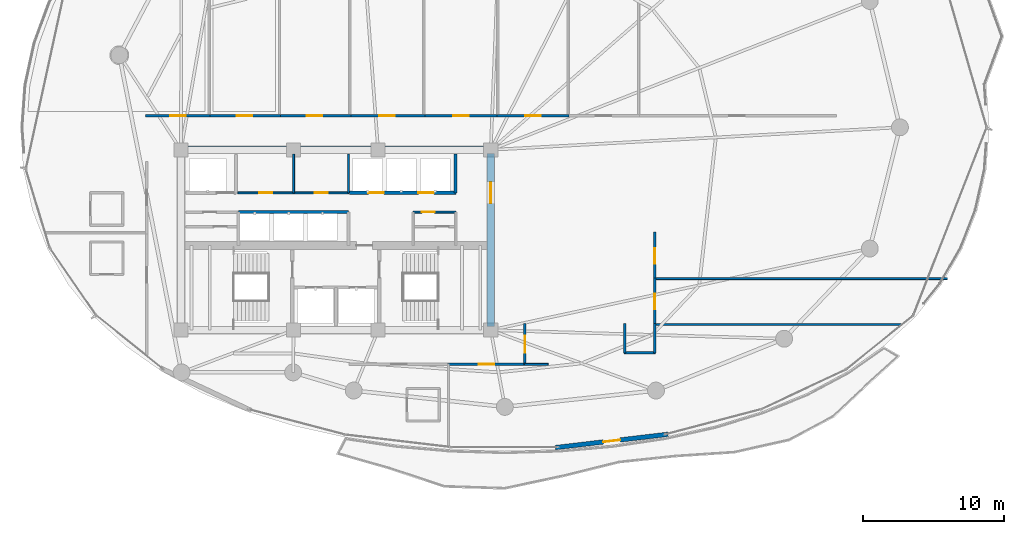
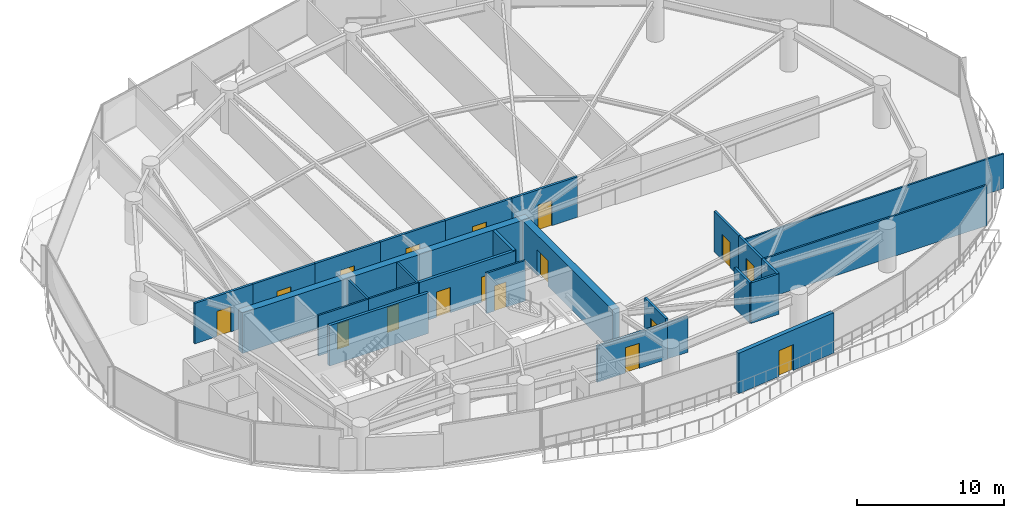
# One storey, part 27 of 34: 27 walls, 17 doors, 17 openings.
"""IFC4 building model written with IfcOpenShell, lengths in metres."""

from ifc_helpers import new_model, si_unit, direction, frame, frame_2d, origin, place, context, subcontext, project, spatial, rectangle, extrude, material, layer, layer_set, type_object, element, fill, save


model = new_model("IFC4")

# Units and contexts
model_context = context("Model", 3, precision=1e-05, world=origin(), true_north=direction((0.0, 1.0)))
body_context = subcontext(model_context, "Body", "Model", "MODEL_VIEW")
ifc_project = project(units=[si_unit("LENGTHUNIT", "METRE"), si_unit("AREAUNIT", "SQUARE_METRE"), si_unit("VOLUMEUNIT", "CUBIC_METRE"), si_unit("PLANEANGLEUNIT", "RADIAN"), si_unit("MASSUNIT", "GRAM", prefix="KILO")], contexts=[model_context])

# Site, building, storey
site_placement = place(None, origin())
site = spatial("IfcSite", under=ifc_project, at=site_placement, CompositionType="ELEMENT")
building_placement = place(site_placement, origin())
building = spatial("IfcBuilding", under=site, at=building_placement, Name="Kazevale Care Tower and Concert Hall", CompositionType="ELEMENT")
storey_placement = place(building_placement, frame((0.0, 0.0, 156.60009765625)))
storey = spatial("IfcBuildingStorey", under=building, at=storey_placement, Name="L41", CompositionType="ELEMENT", Elevation=156.60009765625)

# Wall, opening, door
ifc_material_1 = material(Name="Acoustic Gypsum on Steel Stud", Category="steel")
ifc_layer_1 = layer(ifc_material_1, 0.139892578125)
ifc_layer_set_1 = layer_set([ifc_layer_1], Name="Acoustic Gypsum on Steel Stud")
wall_type_1 = type_object("IfcWallType", Name="Acoustic Care & Suite Partition 140", PredefinedType="PARTITIONING", material=ifc_layer_set_1)
wall_1_placement = place(storey_placement, frame((26.050048828125, 33.35009765625, 0.0), z_axis=(0.0, 0.0, 1.0), x_axis=(1.0, 0.0, 0.0)))
wall_1 = element("IfcWall", 1, at=wall_1_placement, inside=storey, type_object=wall_type_1, Name="wall:L41:c_rpl1_s", PredefinedType="PARTITIONING", context=body_context, shape_type="SweptSolid", body=[
    extrude(rectangle(XDim=3.949951171875, YDim=0.139892578125, at=frame_2d((1.97509765625, 0.0))), origin(), (0.0, 0.0, 1.0), 3.35986328125),
])
opening_1_placement = place(wall_1_placement, frame((1.514892578125, 0.0, 0.0)))
opening_1 = element("IfcOpeningElement", 2, at=opening_1_placement, cuts=wall_1, Name="Opening ID-900", PredefinedType="OPENING", context=body_context, shape_type="SweptSolid", body=[
    extrude(rectangle(XDim=0.919921875, YDim=2.10009765625, at=frame_2d((0.4599609375, 1.050048828125))), frame((0.0, 0.079833984375, 0.0), z_axis=(0.0, -1.0, 0.0), x_axis=(1.0, 0.0, 0.0)), (0.0, 0.0, 1.0), 0.159912109375),
])
ifc_material_2 = material(Name="Oak Timber Fire Leaf", Category="wood")
door_type_1 = type_object("IfcDoorType", Name="Bathroom & Service Door 920x2100", OperationType="NOTDEFINED", PredefinedType="DOOR", material=ifc_material_2)
door_1_placement = place(opening_1_placement, origin())
door_1 = element("IfcDoor", 3, at=door_1_placement, inside=storey, type_object=door_type_1, Name="door:L41:d_rpl1", OperationType="SINGLE_SWING_LEFT", OverallHeight=2.10009765625, OverallWidth=0.919921875, PredefinedType="DOOR", context=body_context, shape_type="SweptSolid", body=[
    extrude(rectangle(XDim=0.919921875, YDim=2.10009765625, at=frame_2d((0.4599609375, 1.050048828125))), frame((0.0, 0.02490234375, 0.0), z_axis=(0.0, -1.0, 0.0), x_axis=(1.0, 0.0, 0.0)), (0.0, 0.0, 1.0), 0.050048828125),
])
fill(opening_1, door_1)

wall_2_placement = place(storey_placement, frame((30.0, 33.35009765625, 0.0), z_axis=(0.0, 0.0, 1.0), x_axis=(1.0, 0.0, 0.0)))
wall_2 = element("IfcWall", 4, at=wall_2_placement, inside=storey, type_object=wall_type_1, Name="wall:L41:c_rpl2_s", PredefinedType="PARTITIONING", context=body_context, shape_type="SweptSolid", body=[
    extrude(rectangle(XDim=3.919921875, YDim=0.139892578125, at=frame_2d((1.9599609375, 0.0))), origin(), (0.0, 0.0, 1.0), 3.35986328125),
])
opening_2_placement = place(wall_2_placement, frame((1.5, 0.0, 0.0)))
opening_2 = element("IfcOpeningElement", 5, at=opening_2_placement, cuts=wall_2, Name="Opening ID-900", PredefinedType="OPENING", context=body_context, shape_type="SweptSolid", body=[
    extrude(rectangle(XDim=0.919921875, YDim=2.10009765625, at=frame_2d((0.4599609375, 1.050048828125))), frame((0.0, 0.079833984375, 0.0), z_axis=(0.0, -1.0, 0.0), x_axis=(1.0, 0.0, 0.0)), (0.0, 0.0, 1.0), 0.159912109375),
])
door_2_placement = place(opening_2_placement, origin())
door_2 = element("IfcDoor", 6, at=door_2_placement, inside=storey, type_object=door_type_1, Name="door:L41:d_rpl2", OperationType="SINGLE_SWING_RIGHT", OverallHeight=2.10009765625, OverallWidth=0.919921875, PredefinedType="DOOR", context=body_context, shape_type="SweptSolid", body=[
    extrude(rectangle(XDim=0.919921875, YDim=2.10009765625, at=frame_2d((0.4599609375, 1.050048828125))), frame((0.0, 0.02490234375, 0.0), z_axis=(0.0, -1.0, 0.0), x_axis=(1.0, 0.0, 0.0)), (0.0, 0.0, 1.0), 0.050048828125),
])
fill(opening_2, door_2)

# Walls
for number, where, z_axis, x_axis, name in (
    (7, (30.0, 33.35009765625, 0.0), (0.0, 0.0, 1.0), (0.0, 1.0, 0.0), "wall:L41:c_rpl_m"),
    (8, (33.89990234375, 33.35009765625, 0.0), (0.0, 0.0, 1.0), (0.0, 1.0, 0.0), "wall:L41:c_rpl_e"),
):
    element("IfcWall", number, at=place(storey_placement, frame(where, z_axis=z_axis, x_axis=x_axis)), inside=storey, type_object=wall_type_1, Name=name, PredefinedType="PARTITIONING", context=body_context, shape_type="SweptSolid", body=[
        extrude(rectangle(XDim=2.75, YDim=0.139892578125, at=frame_2d((1.375, 0.0))), origin(), (0.0, 0.0, 1.0), 3.35986328125),
    ])

# Wall, opening, door
wall_3_placement = place(storey_placement, frame((38.47998046875, 31.97998046875, 0.0), z_axis=(0.0, 0.0, 1.0), x_axis=(1.0, 0.0, 0.0)))
wall_3 = element("IfcWall", 9, at=wall_3_placement, inside=storey, type_object=wall_type_1, Name="wall:L41:kc_en", PredefinedType="PARTITIONING", context=body_context, shape_type="SweptSolid", body=[
    extrude(rectangle(XDim=3.0400390625, YDim=0.139892578125, at=frame_2d((1.52001953125, 0.0))), origin(), (0.0, 0.0, 1.0), 3.35986328125),
])
opening_3_placement = place(wall_3_placement, frame((0.614013671875, 0.0, 0.0)))
opening_3 = element("IfcOpeningElement", 10, at=opening_3_placement, cuts=wall_3, Name="Opening ID-900", PredefinedType="OPENING", context=body_context, shape_type="SweptSolid", body=[
    extrude(rectangle(XDim=0.919921875, YDim=2.10009765625, at=frame_2d((0.4599609375, 1.050048828125))), frame((0.0, 0.079833984375, 0.0), z_axis=(0.0, -1.0, 0.0), x_axis=(1.0, 0.0, 0.0)), (0.0, 0.0, 1.0), 0.159912109375),
])
door_3_placement = place(opening_3_placement, origin())
door_3 = element("IfcDoor", 11, at=door_3_placement, inside=storey, type_object=door_type_1, Name="door:L41:d_kcet", OperationType="SINGLE_SWING_LEFT", OverallHeight=2.10009765625, OverallWidth=0.919921875, PredefinedType="DOOR", context=body_context, shape_type="SweptSolid", body=[
    extrude(rectangle(XDim=0.919921875, YDim=2.10009765625, at=frame_2d((0.4599609375, 1.050048828125))), frame((0.0, 0.02490234375, 0.0), z_axis=(0.0, -1.0, 0.0), x_axis=(1.0, 0.0, 0.0)), (0.0, 0.0, 1.0), 0.050048828125),
])
fill(opening_3, door_3)

# Walls
wall_4_placement = place(storey_placement, frame((55.6201171875, 24.0, 0.0), z_axis=(0.0, 0.0, 1.0), x_axis=(1.0, 0.0, 0.0)))
element("IfcWall", 12, at=wall_4_placement, inside=storey, type_object=wall_type_1, Name="wall:L41:auto_026", PredefinedType="PARTITIONING", context=body_context, shape_type="SweptSolid", body=[
    extrude(rectangle(XDim=17.572998046875, YDim=0.139892578125, at=frame_2d((8.78662109375, 0.0))), origin(), (0.0, 0.0, 1.0), 3.35986328125),
])
wall_5_placement = place(storey_placement, frame((48.06494140625, 21.175048828125, 0.0), z_axis=(0.0, 0.0, 1.0), x_axis=(-1.0, 0.0, 0.0)))
element("IfcWall", 13, at=wall_5_placement, inside=storey, type_object=wall_type_1, Name="wall:L41:auto_027", PredefinedType="PARTITIONING", context=body_context, shape_type="SweptSolid", body=[
    extrude(rectangle(XDim=1.669921875, YDim=0.139892578125, at=frame_2d((0.8349609375, 0.0))), origin(), (0.0, 0.0, 1.0), 2.995849609375),
])
wall_6_placement = place(storey_placement, frame((55.6201171875, 27.25, 0.0), z_axis=(0.0, 0.0, 1.0), x_axis=(1.0, 0.0, 0.0)))
element("IfcWall", 14, at=wall_6_placement, inside=storey, type_object=wall_type_1, Name="wall:L41:auto_028", PredefinedType="PARTITIONING", context=body_context, shape_type="SweptSolid", body=[
    extrude(rectangle(XDim=20.79296875, YDim=0.139892578125, at=frame_2d((10.396484375, 0.0))), origin(), (0.0, 0.0, 1.0), 2.889892578125),
])
ifc_material_3 = material(Name="Concrete C60", Category="concrete")
ifc_layer_2 = layer(ifc_material_3, 0.550048828125)
ifc_layer_set_2 = layer_set([ifc_layer_2], Name="Concrete C60")
wall_type_2 = type_object("IfcWallType", Name="Core Shear Wall 550 C60", PredefinedType="SHEAR", material=ifc_layer_set_2)
wall_7_placement = place(storey_placement, frame((21.72509765625, 36.39990234375, 0.0), z_axis=(0.0, 0.0, 1.0), x_axis=(1.0, 0.0, 0.0)))
element("IfcWall", 15, at=wall_7_placement, inside=storey, type_object=wall_type_2, Name="wall:L41:core:N", PredefinedType="SHEAR", context=body_context, shape_type="SweptSolid", body=[
    extrude(rectangle(XDim=22.5498046875, YDim=0.550048828125, at=frame_2d((11.27490234375, 0.0))), origin(), (0.0, 0.0, 1.0), 3.35986328125),
])

# Wall, opening, door
wall_8_placement = place(storey_placement, frame((44.0, 23.875, 0.0), z_axis=(0.0, 0.0, 1.0), x_axis=(0.0, 1.0, 0.0)))
wall_8 = element("IfcWall", 16, at=wall_8_placement, inside=storey, type_object=wall_type_2, Name="wall:L41:core:E", PredefinedType="SHEAR", context=body_context, shape_type="SweptSolid", body=[
    extrude(rectangle(XDim=12.25, YDim=0.550048828125, at=frame_2d((6.125, 0.0))), origin(), (0.0, 0.0, 1.0), 3.35986328125),
])
opening_4_placement = place(wall_8_placement, frame((8.72509765625, 0.0, 0.0)))
opening_4 = element("IfcOpeningElement", 17, at=opening_4_placement, cuts=wall_8, Name="Opening FD-60D", PredefinedType="OPENING", context=body_context, shape_type="SweptSolid", body=[
    extrude(rectangle(XDim=1.5, YDim=2.14990234375, at=frame_2d((0.75, 1.074951171875))), frame((0.0, 0.284912109375, 0.0), z_axis=(0.0, -1.0, 0.0), x_axis=(1.0, 0.0, 0.0)), (0.0, 0.0, 1.0), 0.570068359375),
])
door_type_2 = type_object("IfcDoorType", Name="Double Lobby & Auditorium Fire Door 1500x2150", OperationType="NOTDEFINED", PredefinedType="DOOR", material=ifc_material_2)
door_4_placement = place(opening_4_placement, origin())
door_4 = element("IfcDoor", 18, at=door_4_placement, inside=storey, type_object=door_type_2, Name="door:L41:core_east_out", OperationType="DOUBLE_DOOR_SINGLE_SWING", OverallHeight=2.14990234375, OverallWidth=1.5, PredefinedType="DOOR", context=body_context, shape_type="SweptSolid", body=[
    extrude(rectangle(XDim=1.5, YDim=2.14990234375, at=frame_2d((0.75, 1.074951171875))), frame((0.0, 0.02490234375, 0.0), z_axis=(0.0, -1.0, 0.0), x_axis=(1.0, 0.0, 0.0)), (0.0, 0.0, 1.0), 0.050048828125),
])
fill(opening_4, door_4)

# Wall
ifc_material_4 = material(Name="Concrete C40", Category="concrete")
ifc_layer_3 = layer(ifc_material_4, 0.219970703125)
ifc_layer_set_3 = layer_set([ifc_layer_3], Name="Concrete C40")
wall_type_3 = type_object("IfcWallType", Name="Elevator Hoistway Shaft Wall 220", PredefinedType="SOLIDWALL", material=ifc_layer_set_3)
wall_9_placement = place(storey_placement, frame((26.10009765625, 31.97998046875, 0.0), z_axis=(0.0, 0.0, 1.0), x_axis=(1.0, 0.0, 0.0)))
element("IfcWall", 19, at=wall_9_placement, inside=storey, type_object=wall_type_3, Name="wall:L41:c_ph_n", PredefinedType="SOLIDWALL", context=body_context, shape_type="SweptSolid", body=[
    extrude(rectangle(XDim=7.7998046875, YDim=0.219970703125, at=frame_2d((3.89990234375, 0.0))), origin(), (0.0, 0.0, 1.0), 3.35986328125),
])

# Wall, openings, doors
wall_10_placement = place(storey_placement, frame((33.97998046875, 33.35009765625, 0.0), z_axis=(0.0, 0.0, 1.0), x_axis=(1.0, 0.0, 0.0)))
wall_10 = element("IfcWall", 20, at=wall_10_placement, inside=storey, type_object=wall_type_3, Name="wall:L41:c_pm_s", PredefinedType="SOLIDWALL", context=body_context, shape_type="SweptSolid", body=[
    extrude(rectangle(XDim=7.5400390625, YDim=0.219970703125, at=frame_2d((3.77001953125, 0.0))), origin(), (0.0, 0.0, 1.0), 3.35986328125),
])
opening_5_placement = place(wall_10_placement, frame((1.3349609375, 0.0, 0.0)))
opening_5 = element("IfcOpeningElement", 21, at=opening_5_placement, cuts=wall_10, Name="Opening LD-PAX", PredefinedType="OPENING", context=body_context, shape_type="SweptSolid", body=[
    extrude(rectangle(XDim=1.10009765625, YDim=2.10009765625, at=frame_2d((0.550048828125, 1.050048828125))), frame((0.0, 0.119873046875, 0.0), z_axis=(0.0, -1.0, 0.0), x_axis=(1.0, 0.0, 0.0)), (0.0, 0.0, 1.0), 0.239990234375),
])
opening_6_placement = place(wall_10_placement, frame((4.87890625, 0.0, 0.0)))
opening_6 = element("IfcOpeningElement", 22, at=opening_6_placement, cuts=wall_10, Name="Opening LD-PAX", PredefinedType="OPENING", context=body_context, shape_type="SweptSolid", body=[
    extrude(rectangle(XDim=1.10009765625, YDim=2.10009765625, at=frame_2d((0.550048828125, 1.050048828125))), frame((0.0, 0.119873046875, 0.0), z_axis=(0.0, -1.0, 0.0), x_axis=(1.0, 0.0, 0.0)), (0.0, 0.0, 1.0), 0.239990234375),
])
ifc_material_5 = material(Name="Stainless Steel 316", Category="steel")
door_type_3 = type_object("IfcDoorType", Name="Passenger Lift Sliding Landing Door 1100x2100", OperationType="NOTDEFINED", PredefinedType="DOOR", material=ifc_material_5)
door_5_placement = place(opening_5_placement, origin())
door_5 = element("IfcDoor", 23, at=door_5_placement, inside=storey, type_object=door_type_3, Name="door:L41:ld_pm1", OperationType="SLIDING_TO_LEFT", OverallHeight=2.10009765625, OverallWidth=1.10009765625, PredefinedType="DOOR", context=body_context, shape_type="SweptSolid", body=[
    extrude(rectangle(XDim=1.10009765625, YDim=2.10009765625, at=frame_2d((0.550048828125, 1.050048828125))), frame((0.0, 0.02490234375, 0.0), z_axis=(0.0, -1.0, 0.0), x_axis=(1.0, 0.0, 0.0)), (0.0, 0.0, 1.0), 0.050048828125),
])
fill(opening_5, door_5)
door_6_placement = place(opening_6_placement, origin())
door_6 = element("IfcDoor", 24, at=door_6_placement, inside=storey, type_object=door_type_3, Name="door:L41:ld_pm2", OperationType="SLIDING_TO_RIGHT", OverallHeight=2.10009765625, OverallWidth=1.10009765625, PredefinedType="DOOR", context=body_context, shape_type="SweptSolid", body=[
    extrude(rectangle(XDim=1.10009765625, YDim=2.10009765625, at=frame_2d((0.550048828125, 1.050048828125))), frame((0.0, 0.02490234375, 0.0), z_axis=(0.0, -1.0, 0.0), x_axis=(1.0, 0.0, 0.0)), (0.0, 0.0, 1.0), 0.050048828125),
])
fill(opening_6, door_6)

# Wall
wall_11_placement = place(storey_placement, frame((41.5, 33.35009765625, 0.0), z_axis=(0.0, 0.0, 1.0), x_axis=(0.0, 1.0, 0.0)))
element("IfcWall", 25, at=wall_11_placement, inside=storey, type_object=wall_type_3, Name="wall:L41:c_pm_e", PredefinedType="SOLIDWALL", context=body_context, shape_type="SweptSolid", body=[
    extrude(rectangle(XDim=2.75, YDim=0.219970703125, at=frame_2d((1.375, 0.0))), origin(), (0.0, 0.0, 1.0), 3.35986328125),
])

# Wall, opening, door
ifc_material_6 = material(Name="Concrete C40 and Acoustic Gypsum", Category="concrete")
ifc_layer_4 = layer(ifc_material_6, 0.179931640625)
ifc_layer_set_4 = layer_set([ifc_layer_4], Name="Concrete C40 and Acoustic Gypsum")
wall_type_4 = type_object("IfcWallType", Name="Fire-Rated Corridor & Party Wall 180", PredefinedType="PARTITIONING", material=ifc_layer_set_4)
wall_12_placement = place(storey_placement, frame((19.4951171875, 38.824951171875, 0.0), z_axis=(0.0, 0.0, 1.0), x_axis=(1.0, 0.0, 0.0)))
wall_12 = element("IfcWall", 26, at=wall_12_placement, inside=storey, type_object=wall_type_4, Name="wall:L41:auto_001", PredefinedType="PARTITIONING", context=body_context, shape_type="SweptSolid", body=[
    extrude(rectangle(XDim=4.56982421875, YDim=0.179931640625, at=frame_2d((2.284912109375, 0.0))), origin(), (0.0, 0.0, 1.0), 3.35986328125),
])
opening_7_placement = place(wall_12_placement, frame((1.735107421875, 0.0, 0.0)))
opening_7 = element("IfcOpeningElement", 27, at=opening_7_placement, cuts=wall_12, Name="Opening ID-1100", PredefinedType="OPENING", context=body_context, shape_type="SweptSolid", body=[
    extrude(rectangle(XDim=1.10009765625, YDim=2.10009765625, at=frame_2d((0.550048828125, 1.050048828125))), frame((0.0, 0.099853515625, 0.0), z_axis=(0.0, -1.0, 0.0), x_axis=(1.0, 0.0, 0.0)), (0.0, 0.0, 1.0), 0.199951171875),
])
door_type_4 = type_object("IfcDoorType", Name="Care Bedroom Accessible Door 1100x2100", OperationType="NOTDEFINED", PredefinedType="DOOR", material=ifc_material_2)
door_7_placement = place(opening_7_placement, origin())
door_7 = element("IfcDoor", 28, at=door_7_placement, inside=storey, type_object=door_type_4, Name="door:L41:ad_001", OperationType="SINGLE_SWING_LEFT", OverallHeight=2.10009765625, OverallWidth=1.10009765625, PredefinedType="DOOR", context=body_context, shape_type="SweptSolid", body=[
    extrude(rectangle(XDim=1.10009765625, YDim=2.10009765625, at=frame_2d((0.550048828125, 1.050048828125))), frame((0.0, 0.02490234375, 0.0), z_axis=(0.0, -1.0, 0.0), x_axis=(1.0, 0.0, 0.0)), (0.0, 0.0, 1.0), 0.050048828125),
])
fill(opening_7, door_7)

wall_13_placement = place(storey_placement, frame((23.93505859375, 38.824951171875, 0.0), z_axis=(0.0, 0.0, 1.0), x_axis=(1.0, 0.0, 0.0)))
wall_13 = element("IfcWall", 29, at=wall_13_placement, inside=storey, type_object=wall_type_4, Name="wall:L41:auto_002", PredefinedType="PARTITIONING", context=body_context, shape_type="SweptSolid", body=[
    extrude(rectangle(XDim=5.1298828125, YDim=0.179931640625, at=frame_2d((2.56494140625, 0.0))), origin(), (0.0, 0.0, 1.0), 3.35986328125),
])
opening_8_placement = place(wall_13_placement, frame((2.014892578125, 0.0, 0.0)))
opening_8 = element("IfcOpeningElement", 30, at=opening_8_placement, cuts=wall_13, Name="Opening ID-1100", PredefinedType="OPENING", context=body_context, shape_type="SweptSolid", body=[
    extrude(rectangle(XDim=1.10009765625, YDim=2.10009765625, at=frame_2d((0.550048828125, 1.050048828125))), frame((0.0, 0.099853515625, 0.0), z_axis=(0.0, -1.0, 0.0), x_axis=(1.0, 0.0, 0.0)), (0.0, 0.0, 1.0), 0.199951171875),
])
door_8_placement = place(opening_8_placement, origin())
door_8 = element("IfcDoor", 31, at=door_8_placement, inside=storey, type_object=door_type_4, Name="door:L41:ad_002", OperationType="SINGLE_SWING_LEFT", OverallHeight=2.10009765625, OverallWidth=1.10009765625, PredefinedType="DOOR", context=body_context, shape_type="SweptSolid", body=[
    extrude(rectangle(XDim=1.10009765625, YDim=2.10009765625, at=frame_2d((0.550048828125, 1.050048828125))), frame((0.0, 0.02490234375, 0.0), z_axis=(0.0, -1.0, 0.0), x_axis=(1.0, 0.0, 0.0)), (0.0, 0.0, 1.0), 0.050048828125),
])
fill(opening_8, door_8)

wall_14_placement = place(storey_placement, frame((28.93505859375, 38.824951171875, 0.0), z_axis=(0.0, 0.0, 1.0), x_axis=(1.0, 0.0, 0.0)))
wall_14 = element("IfcWall", 32, at=wall_14_placement, inside=storey, type_object=wall_type_4, Name="wall:L41:auto_003", PredefinedType="PARTITIONING", context=body_context, shape_type="SweptSolid", body=[
    extrude(rectangle(XDim=5.1298828125, YDim=0.179931640625, at=frame_2d((2.56494140625, 0.0))), origin(), (0.0, 0.0, 1.0), 3.35986328125),
])
opening_9_placement = place(wall_14_placement, frame((2.014892578125, 0.0, 0.0)))
opening_9 = element("IfcOpeningElement", 33, at=opening_9_placement, cuts=wall_14, Name="Opening ID-1100", PredefinedType="OPENING", context=body_context, shape_type="SweptSolid", body=[
    extrude(rectangle(XDim=1.10009765625, YDim=2.10009765625, at=frame_2d((0.550048828125, 1.050048828125))), frame((0.0, 0.099853515625, 0.0), z_axis=(0.0, -1.0, 0.0), x_axis=(1.0, 0.0, 0.0)), (0.0, 0.0, 1.0), 0.199951171875),
])
door_9_placement = place(opening_9_placement, origin())
door_9 = element("IfcDoor", 34, at=door_9_placement, inside=storey, type_object=door_type_4, Name="door:L41:ad_003", OperationType="SINGLE_SWING_LEFT", OverallHeight=2.10009765625, OverallWidth=1.10009765625, PredefinedType="DOOR", context=body_context, shape_type="SweptSolid", body=[
    extrude(rectangle(XDim=1.10009765625, YDim=2.10009765625, at=frame_2d((0.550048828125, 1.050048828125))), frame((0.0, 0.02490234375, 0.0), z_axis=(0.0, -1.0, 0.0), x_axis=(1.0, 0.0, 0.0)), (0.0, 0.0, 1.0), 0.050048828125),
])
fill(opening_9, door_9)

wall_15_placement = place(storey_placement, frame((33.93505859375, 38.824951171875, 0.0), z_axis=(0.0, 0.0, 1.0), x_axis=(1.0, 0.0, 0.0)))
wall_15 = element("IfcWall", 35, at=wall_15_placement, inside=storey, type_object=wall_type_4, Name="wall:L41:auto_004", PredefinedType="PARTITIONING", context=body_context, shape_type="SweptSolid", body=[
    extrude(rectangle(XDim=5.3798828125, YDim=0.179931640625, at=frame_2d((2.68994140625, 0.0))), origin(), (0.0, 0.0, 1.0), 3.35986328125),
])
opening_10_placement = place(wall_15_placement, frame((2.139892578125, 0.0, 0.0)))
opening_10 = element("IfcOpeningElement", 36, at=opening_10_placement, cuts=wall_15, Name="Opening ID-1100", PredefinedType="OPENING", context=body_context, shape_type="SweptSolid", body=[
    extrude(rectangle(XDim=1.10009765625, YDim=2.10009765625, at=frame_2d((0.550048828125, 1.050048828125))), frame((0.0, 0.099853515625, 0.0), z_axis=(0.0, -1.0, 0.0), x_axis=(1.0, 0.0, 0.0)), (0.0, 0.0, 1.0), 0.199951171875),
])
door_10_placement = place(opening_10_placement, origin())
door_10 = element("IfcDoor", 37, at=door_10_placement, inside=storey, type_object=door_type_4, Name="door:L41:ad_004", OperationType="SINGLE_SWING_LEFT", OverallHeight=2.10009765625, OverallWidth=1.10009765625, PredefinedType="DOOR", context=body_context, shape_type="SweptSolid", body=[
    extrude(rectangle(XDim=1.10009765625, YDim=2.10009765625, at=frame_2d((0.550048828125, 1.050048828125))), frame((0.0, 0.02490234375, 0.0), z_axis=(0.0, -1.0, 0.0), x_axis=(1.0, 0.0, 0.0)), (0.0, 0.0, 1.0), 0.050048828125),
])
fill(opening_10, door_10)

wall_16_placement = place(storey_placement, frame((39.18505859375, 38.824951171875, 0.0), z_axis=(0.0, 0.0, 1.0), x_axis=(1.0, 0.0, 0.0)))
wall_16 = element("IfcWall", 38, at=wall_16_placement, inside=storey, type_object=wall_type_4, Name="wall:L41:auto_005", PredefinedType="PARTITIONING", context=body_context, shape_type="SweptSolid", body=[
    extrude(rectangle(XDim=5.3798828125, YDim=0.179931640625, at=frame_2d((2.68994140625, 0.0))), origin(), (0.0, 0.0, 1.0), 3.35986328125),
])
opening_11_placement = place(wall_16_placement, frame((2.139892578125, 0.0, 0.0)))
opening_11 = element("IfcOpeningElement", 39, at=opening_11_placement, cuts=wall_16, Name="Opening ID-1100", PredefinedType="OPENING", context=body_context, shape_type="SweptSolid", body=[
    extrude(rectangle(XDim=1.10009765625, YDim=2.10009765625, at=frame_2d((0.550048828125, 1.050048828125))), frame((0.0, 0.099853515625, 0.0), z_axis=(0.0, -1.0, 0.0), x_axis=(1.0, 0.0, 0.0)), (0.0, 0.0, 1.0), 0.199951171875),
])
door_11_placement = place(opening_11_placement, origin())
door_11 = element("IfcDoor", 40, at=door_11_placement, inside=storey, type_object=door_type_4, Name="door:L41:ad_005", OperationType="SINGLE_SWING_LEFT", OverallHeight=2.10009765625, OverallWidth=1.10009765625, PredefinedType="DOOR", context=body_context, shape_type="SweptSolid", body=[
    extrude(rectangle(XDim=1.10009765625, YDim=2.10009765625, at=frame_2d((0.550048828125, 1.050048828125))), frame((0.0, 0.02490234375, 0.0), z_axis=(0.0, -1.0, 0.0), x_axis=(1.0, 0.0, 0.0)), (0.0, 0.0, 1.0), 0.050048828125),
])
fill(opening_11, door_11)

wall_17_placement = place(storey_placement, frame((44.43505859375, 38.824951171875, 0.0), z_axis=(0.0, 0.0, 1.0), x_axis=(1.0, 0.0, 0.0)))
wall_17 = element("IfcWall", 41, at=wall_17_placement, inside=storey, type_object=wall_type_4, Name="wall:L41:auto_006", PredefinedType="PARTITIONING", context=body_context, shape_type="SweptSolid", body=[
    extrude(rectangle(XDim=5.1298828125, YDim=0.179931640625, at=frame_2d((2.56494140625, 0.0))), origin(), (0.0, 0.0, 1.0), 3.35986328125),
])
opening_12_placement = place(wall_17_placement, frame((2.014892578125, 0.0, 0.0)))
opening_12 = element("IfcOpeningElement", 42, at=opening_12_placement, cuts=wall_17, Name="Opening ID-1100", PredefinedType="OPENING", context=body_context, shape_type="SweptSolid", body=[
    extrude(rectangle(XDim=1.10009765625, YDim=2.10009765625, at=frame_2d((0.550048828125, 1.050048828125))), frame((0.0, 0.099853515625, 0.0), z_axis=(0.0, -1.0, 0.0), x_axis=(1.0, 0.0, 0.0)), (0.0, 0.0, 1.0), 0.199951171875),
])
door_12_placement = place(opening_12_placement, origin())
door_12 = element("IfcDoor", 43, at=door_12_placement, inside=storey, type_object=door_type_4, Name="door:L41:ad_006", OperationType="SINGLE_SWING_LEFT", OverallHeight=2.10009765625, OverallWidth=1.10009765625, PredefinedType="DOOR", context=body_context, shape_type="SweptSolid", body=[
    extrude(rectangle(XDim=1.10009765625, YDim=2.10009765625, at=frame_2d((0.550048828125, 1.050048828125))), frame((0.0, 0.02490234375, 0.0), z_axis=(0.0, -1.0, 0.0), x_axis=(1.0, 0.0, 0.0)), (0.0, 0.0, 1.0), 0.050048828125),
])
fill(opening_12, door_12)

wall_18_placement = place(storey_placement, frame((46.425048828125, 24.06494140625, 0.0), z_axis=(0.0, 0.0, 1.0), x_axis=(0.0, -1.0, 0.0)))
wall_18 = element("IfcWall", 44, at=wall_18_placement, inside=storey, type_object=wall_type_4, Name="wall:L41:auto_009", PredefinedType="PARTITIONING", context=body_context, shape_type="SweptSolid", body=[
    extrude(rectangle(XDim=2.919921875, YDim=0.179931640625, at=frame_2d((1.4599609375, 0.0))), origin(), (0.0, 0.0, 1.0), 3.35986328125),
])
opening_13_placement = place(wall_18_placement, frame((0.860107421875, 0.0, 0.0)))
opening_13 = element("IfcOpeningElement", 45, at=opening_13_placement, cuts=wall_18, Name="Opening ID-1200", PredefinedType="OPENING", context=body_context, shape_type="SweptSolid", body=[
    extrude(rectangle(XDim=1.199951171875, YDim=2.14990234375, at=frame_2d((0.60009765625, 1.074951171875))), frame((0.0, 0.099853515625, 0.0), z_axis=(0.0, -1.0, 0.0), x_axis=(1.0, 0.0, 0.0)), (0.0, 0.0, 1.0), 0.199951171875),
])
door_type_5 = type_object("IfcDoorType", Name="Clinical & Therapy Door 1200x2150", OperationType="NOTDEFINED", PredefinedType="DOOR", material=ifc_material_2)
door_13_placement = place(opening_13_placement, origin())
door_13 = element("IfcDoor", 46, at=door_13_placement, inside=storey, type_object=door_type_5, Name="door:L41:ad_009", OperationType="SINGLE_SWING_LEFT", OverallHeight=2.14990234375, OverallWidth=1.199951171875, PredefinedType="DOOR", context=body_context, shape_type="SweptSolid", body=[
    extrude(rectangle(XDim=1.199951171875, YDim=2.14990234375, at=frame_2d((0.60009765625, 1.074951171875))), frame((0.0, 0.02490234375, 0.0), z_axis=(0.0, -1.0, 0.0), x_axis=(1.0, 0.0, 0.0)), (0.0, 0.0, 1.0), 0.050048828125),
])
fill(opening_13, door_13)

# Walls
wall_19_placement = place(storey_placement, frame((55.679931640625, 22.0, 0.0), z_axis=(0.0, 0.0, 1.0), x_axis=(-1.0, 0.0, 0.0)))
element("IfcWall", 47, at=wall_19_placement, inside=storey, type_object=wall_type_4, Name="wall:L41:auto_010", PredefinedType="PARTITIONING", context=body_context, shape_type="SweptSolid", body=[
    extrude(rectangle(XDim=2.2099609375, YDim=0.179931640625, at=frame_2d((1.10498046875, 0.0))), origin(), (0.0, 0.0, 1.0), 3.35986328125),
])
for number, where, z_axis, x_axis, name in (
    (48, (55.64990234375, 24.06494140625, 0.0), (0.0, 0.0, 1.0), (0.0, -1.0, 0.0), "wall:L41:auto_011"),
    (49, (53.5, 21.969970703125, 0.0), (0.0, 0.0, 1.0), (0.0, 1.0, 0.0), "wall:L41:auto_012"),
):
    element("IfcWall", number, at=place(storey_placement, frame(where, z_axis=z_axis, x_axis=x_axis)), inside=storey, type_object=wall_type_4, Name=name, PredefinedType="PARTITIONING", context=body_context, shape_type="SweptSolid", body=[
        extrude(rectangle(XDim=2.094970703125, YDim=0.179931640625, at=frame_2d((1.04736328125, 0.0))), origin(), (0.0, 0.0, 1.0), 3.35986328125),
    ])

# Wall, opening, door
wall_20_placement = place(storey_placement, frame((55.64990234375, 27.31494140625, 0.0), z_axis=(0.0, 0.0, 1.0), x_axis=(0.0, -1.0, 0.0)))
wall_20 = element("IfcWall", 50, at=wall_20_placement, inside=storey, type_object=wall_type_4, Name="wall:L41:auto_013", PredefinedType="PARTITIONING", context=body_context, shape_type="SweptSolid", body=[
    extrude(rectangle(XDim=3.3798828125, YDim=0.179931640625, at=frame_2d((1.68994140625, 0.0))), origin(), (0.0, 0.0, 1.0), 3.35986328125),
])
opening_14_placement = place(wall_20_placement, frame((1.139892578125, 0.0, 0.0)))
opening_14 = element("IfcOpeningElement", 51, at=opening_14_placement, cuts=wall_20, Name="Opening ID-1100", PredefinedType="OPENING", context=body_context, shape_type="SweptSolid", body=[
    extrude(rectangle(XDim=1.10009765625, YDim=2.10009765625, at=frame_2d((0.550048828125, 1.050048828125))), frame((0.0, 0.099853515625, 0.0), z_axis=(0.0, -1.0, 0.0), x_axis=(1.0, 0.0, 0.0)), (0.0, 0.0, 1.0), 0.199951171875),
])
door_14_placement = place(opening_14_placement, origin())
door_14 = element("IfcDoor", 52, at=door_14_placement, inside=storey, type_object=door_type_4, Name="door:L41:ad_013", OperationType="SINGLE_SWING_LEFT", OverallHeight=2.10009765625, OverallWidth=1.10009765625, PredefinedType="DOOR", context=body_context, shape_type="SweptSolid", body=[
    extrude(rectangle(XDim=1.10009765625, YDim=2.10009765625, at=frame_2d((0.550048828125, 1.050048828125))), frame((0.0, 0.02490234375, 0.0), z_axis=(0.0, -1.0, 0.0), x_axis=(1.0, 0.0, 0.0)), (0.0, 0.0, 1.0), 0.050048828125),
])
fill(opening_14, door_14)

wall_21_placement = place(storey_placement, frame((55.64990234375, 30.56494140625, 0.0), z_axis=(0.0, 0.0, 1.0), x_axis=(0.0, -1.0, 0.0)))
wall_21 = element("IfcWall", 53, at=wall_21_placement, inside=storey, type_object=wall_type_4, Name="wall:L41:auto_014", PredefinedType="PARTITIONING", context=body_context, shape_type="SweptSolid", body=[
    extrude(rectangle(XDim=3.3798828125, YDim=0.179931640625, at=frame_2d((1.68994140625, 0.0))), origin(), (0.0, 0.0, 1.0), 3.35986328125),
])
opening_15_placement = place(wall_21_placement, frame((1.139892578125, 0.0, 0.0)))
opening_15 = element("IfcOpeningElement", 54, at=opening_15_placement, cuts=wall_21, Name="Opening ID-1100", PredefinedType="OPENING", context=body_context, shape_type="SweptSolid", body=[
    extrude(rectangle(XDim=1.10009765625, YDim=2.10009765625, at=frame_2d((0.550048828125, 1.050048828125))), frame((0.0, 0.099853515625, 0.0), z_axis=(0.0, -1.0, 0.0), x_axis=(1.0, 0.0, 0.0)), (0.0, 0.0, 1.0), 0.199951171875),
])
door_15_placement = place(opening_15_placement, origin())
door_15 = element("IfcDoor", 55, at=door_15_placement, inside=storey, type_object=door_type_4, Name="door:L41:ad_014", OperationType="SINGLE_SWING_LEFT", OverallHeight=2.10009765625, OverallWidth=1.10009765625, PredefinedType="DOOR", context=body_context, shape_type="SweptSolid", body=[
    extrude(rectangle(XDim=1.10009765625, YDim=2.10009765625, at=frame_2d((0.550048828125, 1.050048828125))), frame((0.0, 0.02490234375, 0.0), z_axis=(0.0, -1.0, 0.0), x_axis=(1.0, 0.0, 0.0)), (0.0, 0.0, 1.0), 0.050048828125),
])
fill(opening_15, door_15)

wall_22_placement = place(storey_placement, frame((46.455078125, 21.175048828125, 0.0), z_axis=(0.0, 0.0, 1.0), x_axis=(-1.0, 0.0, 0.0)))
wall_22 = element("IfcWall", 56, at=wall_22_placement, inside=storey, type_object=wall_type_4, Name="wall:L41:auto_016", PredefinedType="PARTITIONING", context=body_context, shape_type="SweptSolid", body=[
    extrude(rectangle(XDim=5.52001953125, YDim=0.179931640625, at=frame_2d((2.760009765625, 0.0))), origin(), (0.0, 0.0, 1.0), 2.995849609375),
])
opening_16_placement = place(wall_22_placement, frame((2.2099609375, 0.0, 0.0)))
opening_16 = element("IfcOpeningElement", 57, at=opening_16_placement, cuts=wall_22, Name="Opening ID-1100", PredefinedType="OPENING", context=body_context, shape_type="SweptSolid", body=[
    extrude(rectangle(XDim=1.10009765625, YDim=2.10009765625, at=frame_2d((0.550048828125, 1.050048828125))), frame((0.0, 0.099853515625, 0.0), z_axis=(0.0, -1.0, 0.0), x_axis=(1.0, 0.0, 0.0)), (0.0, 0.0, 1.0), 0.199951171875),
])
door_16_placement = place(opening_16_placement, origin())
door_16 = element("IfcDoor", 58, at=door_16_placement, inside=storey, type_object=door_type_4, Name="door:L41:ad_016", OperationType="SINGLE_SWING_LEFT", OverallHeight=2.10009765625, OverallWidth=1.10009765625, PredefinedType="DOOR", context=body_context, shape_type="SweptSolid", body=[
    extrude(rectangle(XDim=1.10009765625, YDim=2.10009765625, at=frame_2d((0.550048828125, 1.050048828125))), frame((0.0, 0.02490234375, 0.0), z_axis=(0.0, -1.0, 0.0), x_axis=(1.0, 0.0, 0.0)), (0.0, 0.0, 1.0), 0.050048828125),
])
fill(opening_16, door_16)

ifc_material_7 = material(Name="Concrete C40 with Honed Limestone Cladding", Category="masonry")
ifc_layer_5 = layer(ifc_material_7, 0.320068359375)
ifc_layer_set_5 = layer_set([ifc_layer_5], Name="Concrete C40 with Honed Limestone Cladding")
wall_type_5 = type_object("IfcWallType", Name="Tower Honed Limestone Spandrel Wall 320", PredefinedType="STANDARD", material=ifc_layer_set_5)
wall_23_placement = place(storey_placement, frame((56.5869140625, 16.205078125, 0.0), z_axis=(0.0, 0.0, 1.0), x_axis=(-0.993072847957, -0.117500292131, 0.0)))
wall_23 = element("IfcWall", 59, at=wall_23_placement, inside=storey, type_object=wall_type_5, Name="wall:L41:bal_host", PredefinedType="STANDARD", context=body_context, shape_type="SweptSolid", body=[
    extrude(rectangle(XDim=8.059814453125, YDim=0.320068359375, at=frame_2d((4.02978515625, 0.0))), origin(), (0.0, 0.0, 1.0), 3.35986328125),
])
opening_17_placement = place(wall_23_placement, frame((3.429931640625, 0.0, 0.0)))
opening_17 = element("IfcOpeningElement", 60, at=opening_17_placement, cuts=wall_23, Name="Opening BD-1200", PredefinedType="OPENING", context=body_context, shape_type="SweptSolid", body=[
    extrude(rectangle(XDim=1.199951171875, YDim=2.14990234375, at=frame_2d((0.60009765625, 1.074951171875))), frame((0.0, 0.169921875, 0.0), z_axis=(0.0, -1.0, 0.0), x_axis=(1.0, 0.0, 0.0)), (0.0, 0.0, 1.0), 0.340087890625),
])
ifc_material_8 = material(Name="Aluminium 6063-T6 and Low-E Glass", Category="aluminium")
door_type_6 = type_object("IfcDoorType", Name="Sheltered Balcony Glazed Door 1200x2150", OperationType="NOTDEFINED", PredefinedType="DOOR", material=ifc_material_8)
door_17_placement = place(opening_17_placement, origin())
door_17 = element("IfcDoor", 61, at=door_17_placement, inside=storey, type_object=door_type_6, Name="door:L41:BD-1", OperationType="SINGLE_SWING_LEFT", OverallHeight=2.14990234375, OverallWidth=1.199951171875, PredefinedType="DOOR", context=body_context, shape_type="SweptSolid", body=[
    extrude(rectangle(XDim=1.199951171875, YDim=2.14990234375, at=frame_2d((0.60009765625, 1.074951171875))), frame((0.0, 0.02490234375, 0.0), z_axis=(0.0, -1.0, 0.0), x_axis=(1.0, 0.0, 0.0)), (0.0, 0.0, 1.0), 0.050048828125),
])
fill(opening_17, door_17)

save(model, "model.ifc")
